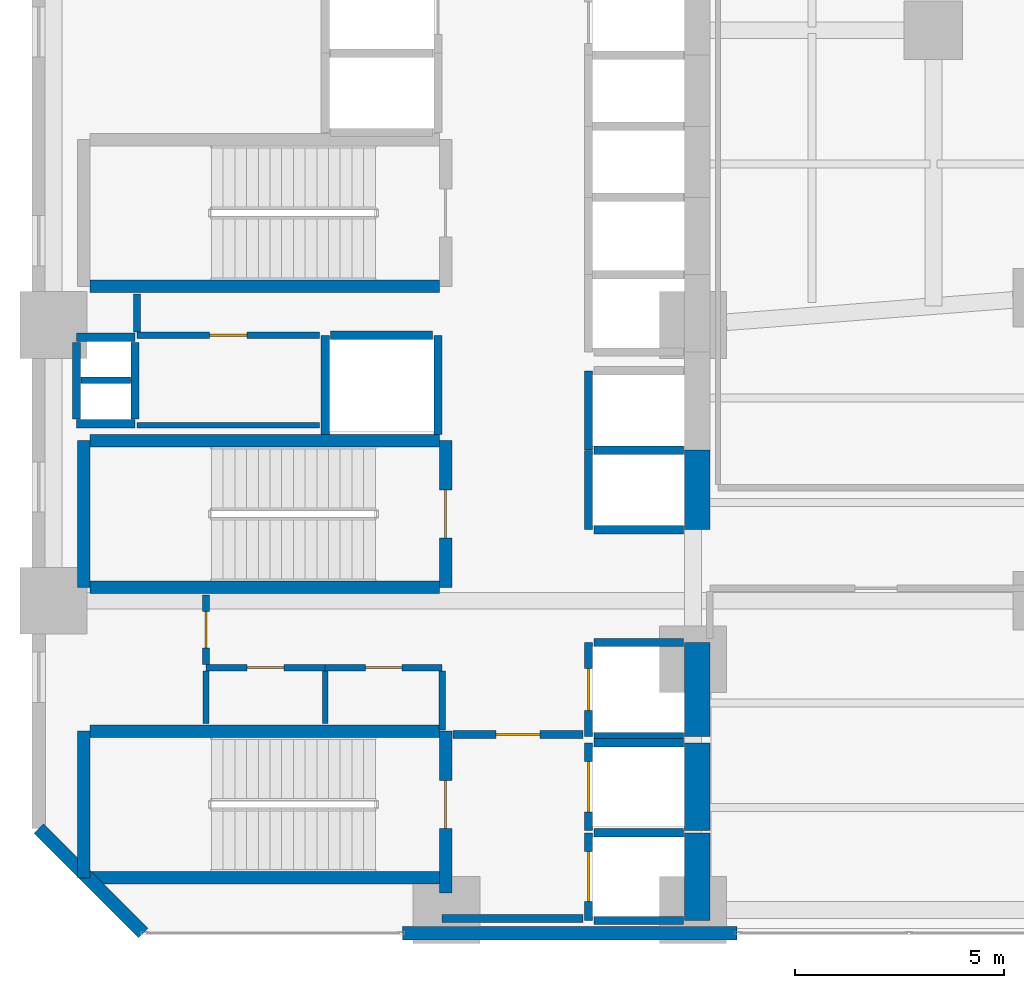
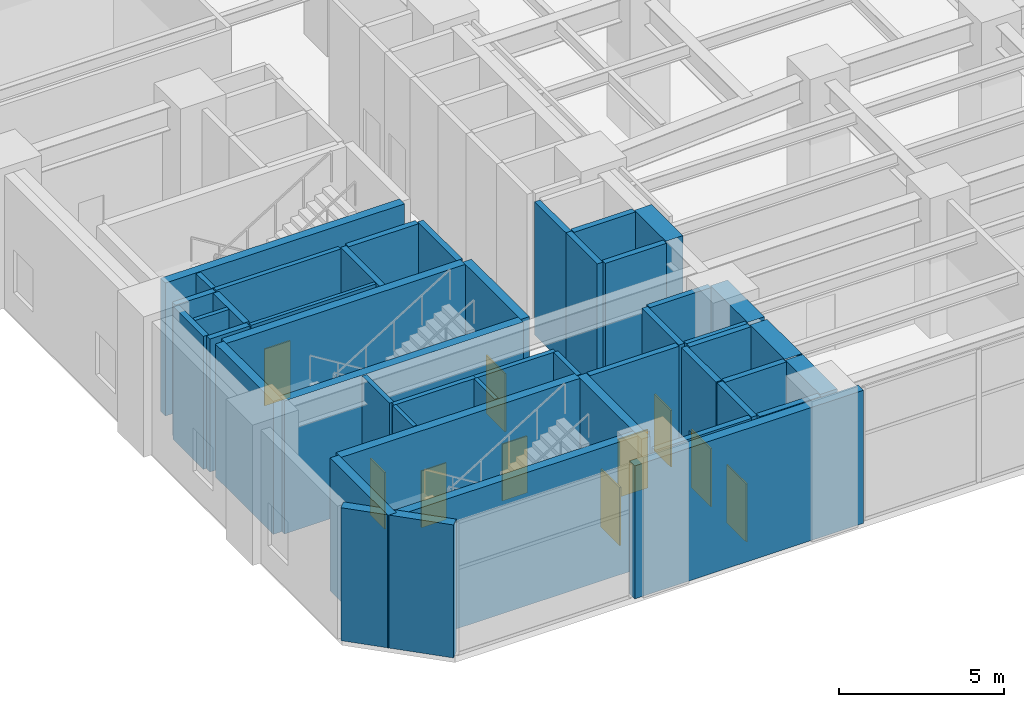
# One storey, part 21 of 29: 46 walls, 10 doors, 10 openings.
"""IFC4 building model written with IfcOpenShell, lengths in metres."""

import ifcopenshell
import ifcopenshell.guid

model = None  # the IFC model being written
_history = None  # IfcOwnerHistory: only IFC2X3 demands one
_inside = {}  # id of a spatial element -> (the spatial element, [elements in it])
_under = {}  # id of a project, library or spatial element -> (it, [spatial elements below it])
_declared = {}  # id of a project -> (the project, [libraries it declares])
_typed = {}  # id of a type object -> (the type object, [elements of that type])
_made_of = {}  # id of a material, layer set ... -> (it, [elements and type objects made of it])


def new_model(schema):
    """Start an empty IFC model of exactly this schema.

    Asked for "IFC4X3", IfcOpenShell would pick the latest addendum, in which some entities
    have other attributes; the version numbers below select the first issue.
    IFC2X3 requires an IfcOwnerHistory on every rooted entity: one is made here for all.
    """
    global model, _history
    if schema == "IFC4X3":
        model = ifcopenshell.file(schema_version=(4, 3, 0, 0))
    else:
        model = ifcopenshell.file(schema=schema)
    _inside.clear()
    _under.clear()
    _declared.clear()
    _typed.clear()
    _made_of.clear()
    _history = None
    if model.schema == "IFC2X3":
        org = make("IfcOrganization", Name="unknown")
        user = make(
            "IfcPersonAndOrganization",
            ThePerson=make("IfcPerson", FamilyName="unknown"),
            TheOrganization=org,
        )
        app = make(
            "IfcApplication",
            ApplicationDeveloper=org,
            Version="unknown",
            ApplicationFullName="unknown",
            ApplicationIdentifier="unknown",
        )
        _history = make(
            "IfcOwnerHistory",
            OwningUser=user,
            OwningApplication=app,
            ChangeAction="ADDED",
            CreationDate=0,
        )
    return model


def make(cls, **values):
    """One entity of the class cls with the attributes given. An attribute that is None is left unset."""
    return model.create_entity(
        cls, **{name: value for name, value in values.items() if value is not None}
    )


def rooted(cls, **values):
    """An entity with a GlobalId (a new one), such as an element, a storey or a relation."""
    return make(cls, GlobalId=ifcopenshell.guid.new(), OwnerHistory=_history, **values)


def si_unit(unit_type, name, prefix=None):
    """IfcSIUnit, for example si_unit("LENGTHUNIT", "METRE", prefix="MILLI")."""
    return make("IfcSIUnit", UnitType=unit_type, Prefix=prefix, Name=name)


def assignment(units):
    """IfcUnitAssignment: the units of a project."""
    return None if units is None else make("IfcUnitAssignment", Units=units)


def point(xyz):
    """IfcCartesianPoint."""
    return None if xyz is None else make("IfcCartesianPoint", Coordinates=xyz)


def direction(xyz):
    """IfcDirection."""
    return None if xyz is None else make("IfcDirection", DirectionRatios=xyz)


def frame(location, z_axis=None, x_axis=None):
    """IfcAxis2Placement3D, a coordinate frame: its origin and axes. An axis left out is left unset."""
    return make(
        "IfcAxis2Placement3D",
        Location=point(location),
        Axis=direction(z_axis),
        RefDirection=direction(x_axis),
    )


def frame_2d(location, x_axis=None):
    """IfcAxis2Placement2D, a coordinate frame in the plane: its origin and x axis."""
    return make(
        "IfcAxis2Placement2D", Location=point(location), RefDirection=direction(x_axis)
    )


def origin():
    """The frame at (0, 0, 0) with its axes left unset."""
    return frame((0.0, 0.0, 0.0))


def place(relative_to, where):
    """IfcLocalPlacement: puts the frame where relative to a parent placement (None: the world)."""
    return make(
        "IfcLocalPlacement", PlacementRelTo=relative_to, RelativePlacement=where
    )


def context(
    kind, dimensions, precision=None, world=None, true_north=None, identifier=None
):
    """IfcGeometricRepresentationContext, for example the 3D "Model" context."""
    return make(
        "IfcGeometricRepresentationContext",
        ContextIdentifier=identifier,
        ContextType=kind,
        CoordinateSpaceDimension=dimensions,
        Precision=precision,
        WorldCoordinateSystem=world,
        TrueNorth=true_north,
    )


def subcontext(parent, identifier, kind, view, scale=None):
    """IfcGeometricRepresentationSubContext, for example "Body" below "Model"."""
    return make(
        "IfcGeometricRepresentationSubContext",
        ContextIdentifier=identifier,
        ContextType=kind,
        ParentContext=parent,
        TargetScale=scale,
        TargetView=view,
    )


def project(units=None, contexts=None):
    """IfcProject with its units and contexts."""
    return rooted(
        "IfcProject",
        Name="project",
        RepresentationContexts=contexts,
        UnitsInContext=assignment(units),
    )


def spatial(cls, under=None, at=None, **own):
    """A site, building, storey or space (cls), placed at a placement, below another one or the project."""
    s = rooted(cls, ObjectPlacement=at, **own)
    if under is not None:
        _under.setdefault(under.id(), (under, []))[1].append(s)
    return s


def profile(cls, at=None, kind="AREA", **sizes):
    """A parametric profile (cls). Its sizes go by their IFC names, for example OverallWidth=200.0."""
    return make(cls, ProfileType=kind, Position=at, **sizes)


def rectangle(**sizes):
    """IfcRectangleProfileDef."""
    return profile("IfcRectangleProfileDef", **sizes)


def extrude(swept, where, along, depth):
    """IfcExtrudedAreaSolid: the profile swept, set in the frame where, extruded along a direction by depth."""
    return make(
        "IfcExtrudedAreaSolid",
        SweptArea=swept,
        Position=where,
        ExtrudedDirection=direction(along),
        Depth=depth,
    )


def shape(context_of_items, identifier, shape_type, items):
    """IfcShapeRepresentation: the items that make up one representation, for example the "Body"."""
    return make(
        "IfcShapeRepresentation",
        ContextOfItems=context_of_items,
        RepresentationIdentifier=identifier,
        RepresentationType=shape_type,
        Items=items,
    )


def material(Name=None, Category=None):
    """IfcMaterial."""
    return make("IfcMaterial", Name=Name, Category=Category)


def layer(
    of_material, thickness, ventilated=None, Name=None, Category=None, Priority=None
):
    """IfcMaterialLayer: one layer of a wall or slab, of a material (None: an air gap)."""
    return make(
        "IfcMaterialLayer",
        Material=of_material,
        LayerThickness=thickness,
        IsVentilated=ventilated,
        Name=Name,
        Category=Category,
        Priority=Priority,
    )


def layer_set(layers, Name=None):
    """IfcMaterialLayerSet."""
    return make("IfcMaterialLayerSet", MaterialLayers=layers, LayerSetName=Name)


def made_of(thing, what):
    """Note that an element or type object is made of a material, layer set ...; save() writes the relation."""
    if what is not None:
        _made_of.setdefault(what.id(), (what, []))[1].append(thing)
    return thing


def type_object(cls, material=None, **own):
    """A type object (cls), such as IfcWallType, which elements share."""
    return made_of(rooted(cls, **own), material)


def element(
    cls,
    number,
    at=None,
    inside=None,
    cuts=None,
    type_object=None,
    material=None,
    context=None,
    identifier="Body",
    shape_type=None,
    held_by="IfcProductDefinitionShape",
    body=None,
    shapes=None,
    **own,
):
    """One element of the class cls, such as IfcWall. Its Tag is "e" and its number.

    at: its placement. inside: the storey or other place that contains it. cuts: it is an
    opening in that element (IfcRelVoidsElement). A single representation is given by context,
    identifier, shape_type and body (its items); several are given by shapes. held_by: the class
    of the entity that holds the representations. save() writes the other relations.
    """
    e = rooted(cls, Tag="e%d" % number, ObjectPlacement=at, **own)
    if body is not None:
        shapes = [shape(context, identifier, shape_type, body)]
    if shapes is not None:
        e.Representation = make(held_by, Representations=shapes)
    if inside is not None:
        _inside.setdefault(inside.id(), (inside, []))[1].append(e)
    if cuts is not None:
        rooted(
            "IfcRelVoidsElement", RelatingBuildingElement=cuts, RelatedOpeningElement=e
        )
    if type_object is not None:
        _typed.setdefault(type_object.id(), (type_object, []))[1].append(e)
    return made_of(e, material)


def fill(opening, filler):
    """IfcRelFillsElement: the door or window that sits in an opening."""
    return rooted(
        "IfcRelFillsElement",
        RelatingOpeningElement=opening,
        RelatedBuildingElement=filler,
    )


def aggregate(whole, parts):
    """IfcRelAggregates: a whole, such as a stair, and the parts it consists of."""
    return rooted("IfcRelAggregates", RelatingObject=whole, RelatedObjects=parts)


def save(model, path):
    """Write the relations noted so far, then the file.

    IfcRelAggregates (storeys below a building ...), IfcRelContainedInSpatialStructure (elements
    in a storey), IfcRelDefinesByType, IfcRelAssociatesMaterial and IfcRelDeclares: one each for
    every whole, place, type object, material and project.
    """
    for whole, parts in _under.values():
        aggregate(whole, parts)
    for where, things in _inside.values():
        rooted(
            "IfcRelContainedInSpatialStructure",
            RelatedElements=things,
            RelatingStructure=where,
        )
    for kind, things in _typed.values():
        rooted("IfcRelDefinesByType", RelatedObjects=things, RelatingType=kind)
    for what, things in _made_of.values():
        rooted("IfcRelAssociatesMaterial", RelatedObjects=things, RelatingMaterial=what)
    for by, libraries in _declared.values():
        rooted("IfcRelDeclares", RelatingContext=by, RelatedDefinitions=libraries)
    model.write(path)


model = new_model("IFC4")

# Units and contexts
model_context = context("Model", 3, precision=1e-05, world=origin(), true_north=direction((0.0, 1.0)))
body_context = subcontext(model_context, "Body", "Model", "MODEL_VIEW")
ifc_project = project(units=[si_unit("LENGTHUNIT", "METRE"), si_unit("AREAUNIT", "SQUARE_METRE"), si_unit("VOLUMEUNIT", "CUBIC_METRE"), si_unit("PLANEANGLEUNIT", "RADIAN"), si_unit("MASSUNIT", "GRAM", prefix="KILO")], contexts=[model_context])

# Site, building, storey
site_placement = place(None, origin())
site = spatial("IfcSite", under=ifc_project, at=site_placement, CompositionType="ELEMENT")
building_placement = place(site_placement, origin())
building = spatial("IfcBuilding", under=site, at=building_placement, Name="Mawjaban Terraces University", CompositionType="ELEMENT")
storey_placement = place(building_placement, frame((0.0, 0.0, 15.60009765625)))
storey = spatial("IfcBuildingStorey", under=building, at=storey_placement, Name="L03", CompositionType="ELEMENT", Elevation=15.60009765625)

# Walls
ifc_material_1 = material(Name="Concrete C70/85", Category="concrete")
ifc_layer_1 = layer(ifc_material_1, 0.60009765625)
ifc_layer_set_1 = layer_set([ifc_layer_1], Name="Concrete C70/85")
wall_type_1 = type_object("IfcWallType", Name="CoreShearWall_600", PredefinedType="SHEAR", material=ifc_layer_set_1)
wall_1_placement = place(storey_placement, frame((37.75, 0.300048828125, 0.0), z_axis=(0.0, 0.0, 1.0), x_axis=(0.0, 1.0, 0.0)))
element("IfcWall", 1, at=wall_1_placement, inside=storey, type_object=wall_type_1, Name="L03 Lift FL-1 Hoistway Wall East", PredefinedType="SHEAR", context=body_context, shape_type="SweptSolid", body=[
    extrude(rectangle(XDim=2.099853515625, YDim=0.60009765625, at=frame_2d((1.0498046875, 0.0))), origin(), (0.0, 0.0, 1.0), 4.919921875),
])
wall_2_placement = place(storey_placement, frame((37.75, 2.449951171875, 0.0), z_axis=(0.0, 0.0, 1.0), x_axis=(0.0, 1.0, 0.0)))
element("IfcWall", 2, at=wall_2_placement, inside=storey, type_object=wall_type_1, Name="L03 Lift FL-2 Hoistway Wall East", PredefinedType="SHEAR", context=body_context, shape_type="SweptSolid", body=[
    extrude(rectangle(XDim=2.10009765625, YDim=0.60009765625, at=frame_2d((1.050048828125, 0.0))), origin(), (0.0, 0.0, 1.0), 4.919921875),
])
wall_3_placement = place(storey_placement, frame((37.75, 4.699951171875, 0.0), z_axis=(0.0, 0.0, 1.0), x_axis=(0.0, 1.0, 0.0)))
element("IfcWall", 3, at=wall_3_placement, inside=storey, type_object=wall_type_1, Name="L03 Lift SL-1 Hoistway Wall East", PredefinedType="SHEAR", context=body_context, shape_type="SweptSolid", body=[
    extrude(rectangle(XDim=2.25, YDim=0.60009765625, at=frame_2d((1.125, 0.0))), origin(), (0.0, 0.0, 1.0), 4.919921875),
])
wall_4_placement = place(storey_placement, frame((37.75, 9.64990234375, 0.0), z_axis=(0.0, 0.0, 1.0), x_axis=(0.0, 1.0, 0.0)))
element("IfcWall", 4, at=wall_4_placement, inside=storey, type_object=wall_type_1, Name="L03 Lift PL-H1 Hoistway Wall East", PredefinedType="SHEAR", context=body_context, shape_type="SweptSolid", body=[
    extrude(rectangle(XDim=1.900146484375, YDim=0.60009765625, at=frame_2d((0.9501953125, 0.0))), origin(), (0.0, 0.0, 1.0), 4.919921875),
])

# Wall, opening, door
ifc_material_2 = material(Name="Fire-rated gypsum board on steel stud", Category="steel")
ifc_layer_2 = layer(ifc_material_2, 0.159912109375)
ifc_layer_set_2 = layer_set([ifc_layer_2], Name="Fire-rated gypsum board on steel stud")
wall_type_2 = type_object("IfcWallType", Name="CorridorPartition_160", PredefinedType="PARTITIONING", material=ifc_layer_set_2)
wall_5_placement = place(storey_placement, frame((24.35009765625, 14.300048828125, 0.0), z_axis=(0.0, 0.0, 1.0), x_axis=(1.0, 0.0, 0.0)))
wall_5 = element("IfcWall", 5, at=wall_5_placement, inside=storey, type_object=wall_type_2, Name="L03 Core Riser Access Passage Partition 2", PredefinedType="PARTITIONING", context=body_context, shape_type="SweptSolid", body=[
    extrude(rectangle(XDim=4.369873046875, YDim=0.159912109375, at=frame_2d((2.18505859375, 0.0))), origin(), (0.0, 0.0, 1.0), 4.919921875),
])
opening_1_placement = place(wall_5_placement, frame((1.735107421875, 0.0, 0.0)))
opening_1 = element("IfcOpeningElement", 6, at=opening_1_placement, cuts=wall_5, Name="Opening ID-090", PredefinedType="OPENING", context=body_context, shape_type="SweptSolid", body=[
    extrude(rectangle(XDim=0.89990234375, YDim=2.10009765625, at=frame_2d((0.449951171875, 1.050048828125))), frame((0.0, 0.08984375, 0.0), z_axis=(0.0, -1.0, 0.0), x_axis=(1.0, 0.0, 0.0)), (0.0, 0.0, 1.0), 0.179931640625),
])
ifc_material_3 = material(Name="Powder-coated steel frame and solid acoustic timber leaf", Category="steel")
door_type_1 = type_object("IfcDoorType", Name="OfficeDoor_900x2100", OperationType="NOTDEFINED", PredefinedType="DOOR", material=ifc_material_3)
door_1_placement = place(opening_1_placement, origin())
door_1 = element("IfcDoor", 7, at=door_1_placement, inside=storey, type_object=door_type_1, Name="L03 Cleaner Store Door", OperationType="SINGLE_SWING_LEFT", OverallHeight=2.10009765625, OverallWidth=0.89990234375, PredefinedType="DOOR", context=body_context, shape_type="SweptSolid", body=[
    extrude(rectangle(XDim=0.89990234375, YDim=2.10009765625, at=frame_2d((0.449951171875, 1.050048828125))), frame((0.0, 0.02490234375, 0.0), z_axis=(0.0, -1.0, 0.0), x_axis=(1.0, 0.0, 0.0)), (0.0, 0.0, 1.0), 0.050048828125),
])
fill(opening_1, door_1)

wall_6_placement = place(storey_placement, frame((26.0, 6.35009765625, 0.0), z_axis=(0.0, 0.0, 1.0), x_axis=(1.0, 0.0, 0.0)))
wall_6 = element("IfcWall", 8, at=wall_6_placement, inside=storey, type_object=wall_type_2, Name="L03 Core Washroom Lobby Partition 3", PredefinedType="PARTITIONING", context=body_context, shape_type="SweptSolid", body=[
    extrude(rectangle(XDim=2.85009765625, YDim=0.159912109375, at=frame_2d((1.425048828125, 0.0))), origin(), (0.0, 0.0, 1.0), 4.919921875),
])
opening_2_placement = place(wall_6_placement, frame((0.985107421875, 0.0, 0.0)))
opening_2 = element("IfcOpeningElement", 9, at=opening_2_placement, cuts=wall_6, Name="Opening ID-088", PredefinedType="OPENING", context=body_context, shape_type="SweptSolid", body=[
    extrude(rectangle(XDim=0.8798828125, YDim=2.10009765625, at=frame_2d((0.43994140625, 1.050048828125))), frame((0.0, 0.08984375, 0.0), z_axis=(0.0, -1.0, 0.0), x_axis=(1.0, 0.0, 0.0)), (0.0, 0.0, 1.0), 0.179931640625),
])
door_type_2 = type_object("IfcDoorType", Name="ToiletDoor_880x2100", OperationType="NOTDEFINED", PredefinedType="DOOR", material=ifc_material_3)
door_2_placement = place(opening_2_placement, origin())
door_2 = element("IfcDoor", 10, at=door_2_placement, inside=storey, type_object=door_type_2, Name="L03 Male Toilet Door", OperationType="SINGLE_SWING_LEFT", OverallHeight=2.10009765625, OverallWidth=0.8798828125, PredefinedType="DOOR", context=body_context, shape_type="SweptSolid", body=[
    extrude(rectangle(XDim=0.8798828125, YDim=2.10009765625, at=frame_2d((0.43994140625, 1.050048828125))), frame((0.0, 0.02490234375, 0.0), z_axis=(0.0, -1.0, 0.0), x_axis=(1.0, 0.0, 0.0)), (0.0, 0.0, 1.0), 0.050048828125),
])
fill(opening_2, door_2)

wall_7_placement = place(storey_placement, frame((28.85009765625, 6.35009765625, 0.0), z_axis=(0.0, 0.0, 1.0), x_axis=(1.0, 0.0, 0.0)))
wall_7 = element("IfcWall", 11, at=wall_7_placement, inside=storey, type_object=wall_type_2, Name="L03 Core Washroom Lobby Partition 6", PredefinedType="PARTITIONING", context=body_context, shape_type="SweptSolid", body=[
    extrude(rectangle(XDim=2.7998046875, YDim=0.159912109375, at=frame_2d((1.39990234375, 0.0))), origin(), (0.0, 0.0, 1.0), 4.919921875),
])
opening_3_placement = place(wall_7_placement, frame((0.9599609375, 0.0, 0.0)))
opening_3 = element("IfcOpeningElement", 12, at=opening_3_placement, cuts=wall_7, Name="Opening ID-088", PredefinedType="OPENING", context=body_context, shape_type="SweptSolid", body=[
    extrude(rectangle(XDim=0.8798828125, YDim=2.10009765625, at=frame_2d((0.43994140625, 1.050048828125))), frame((0.0, 0.08984375, 0.0), z_axis=(0.0, -1.0, 0.0), x_axis=(1.0, 0.0, 0.0)), (0.0, 0.0, 1.0), 0.179931640625),
])
door_3_placement = place(opening_3_placement, origin())
door_3 = element("IfcDoor", 13, at=door_3_placement, inside=storey, type_object=door_type_2, Name="L03 Accessible Toilet Door", OperationType="SINGLE_SWING_RIGHT", OverallHeight=2.10009765625, OverallWidth=0.8798828125, PredefinedType="DOOR", context=body_context, shape_type="SweptSolid", body=[
    extrude(rectangle(XDim=0.8798828125, YDim=2.10009765625, at=frame_2d((0.43994140625, 1.050048828125))), frame((0.0, 0.02490234375, 0.0), z_axis=(0.0, -1.0, 0.0), x_axis=(1.0, 0.0, 0.0)), (0.0, 0.0, 1.0), 0.050048828125),
])
fill(opening_3, door_3)

# Wall
wall_8_placement = place(storey_placement, frame((24.35009765625, 15.2900390625, 0.0), z_axis=(0.0, 0.0, 1.0), x_axis=(0.0, -1.0, 0.0)))
element("IfcWall", 14, at=wall_8_placement, inside=storey, type_object=wall_type_2, Name="L03 Core Riser Access Passage Partition 21", PredefinedType="PARTITIONING", context=body_context, shape_type="SweptSolid", body=[
    extrude(rectangle(XDim=0.9150390625, YDim=0.159912109375, at=frame_2d((0.45751953125, 0.0))), origin(), (0.0, 0.0, 1.0), 4.919921875),
])

# Wall, opening, door
wall_9_placement = place(storey_placement, frame((26.0, 8.090087890625, 0.0), z_axis=(0.0, 0.0, 1.0), x_axis=(0.0, -1.0, 0.0)))
wall_9 = element("IfcWall", 15, at=wall_9_placement, inside=storey, type_object=wall_type_2, Name="L03 Core Washroom Lobby Partition 23", PredefinedType="PARTITIONING", context=body_context, shape_type="SweptSolid", body=[
    extrude(rectangle(XDim=1.6650390625, YDim=0.159912109375, at=frame_2d((0.83251953125, 0.0))), origin(), (0.0, 0.0, 1.0), 4.919921875),
])
opening_4_placement = place(wall_9_placement, frame((0.39306640625, 0.0, 0.0)))
opening_4 = element("IfcOpeningElement", 16, at=opening_4_placement, cuts=wall_9, Name="Opening ID-088", PredefinedType="OPENING", context=body_context, shape_type="SweptSolid", body=[
    extrude(rectangle(XDim=0.8798828125, YDim=2.10009765625, at=frame_2d((0.43994140625, 1.050048828125))), frame((0.0, 0.08984375, 0.0), z_axis=(0.0, -1.0, 0.0), x_axis=(1.0, 0.0, 0.0)), (0.0, 0.0, 1.0), 0.179931640625),
])
door_4_placement = place(opening_4_placement, origin())
door_4 = element("IfcDoor", 17, at=door_4_placement, inside=storey, type_object=door_type_2, Name="L03 Ablution Room Door", OperationType="SINGLE_SWING_RIGHT", OverallHeight=2.10009765625, OverallWidth=0.8798828125, PredefinedType="DOOR", context=body_context, shape_type="SweptSolid", body=[
    extrude(rectangle(XDim=0.8798828125, YDim=2.10009765625, at=frame_2d((0.43994140625, 1.050048828125))), frame((0.0, 0.02490234375, 0.0), z_axis=(0.0, -1.0, 0.0), x_axis=(1.0, 0.0, 0.0)), (0.0, 0.0, 1.0), 0.050048828125),
])
fill(opening_4, door_4)

# Walls
wall_10_placement = place(storey_placement, frame((31.64990234375, 4.860107421875, 0.0), z_axis=(0.0, 0.0, 1.0), x_axis=(0.0, 1.0, 0.0)))
element("IfcWall", 18, at=wall_10_placement, inside=storey, type_object=wall_type_2, Name="L03 Accessible Toilet Partition 26", PredefinedType="PARTITIONING", context=body_context, shape_type="SweptSolid", body=[
    extrude(rectangle(XDim=1.414794921875, YDim=0.159912109375, at=frame_2d((0.70751953125, 0.0))), origin(), (0.0, 0.0, 1.0), 4.919921875),
])
ifc_material_4 = material(Name="Insulated terracotta rainscreen on concrete backup C40/50", Category="masonry")
ifc_layer_3 = layer(ifc_material_4, 0.320068359375)
ifc_layer_set_3 = layer_set([ifc_layer_3], Name="Insulated terracotta rainscreen on concrete backup C40/50")
wall_type_3 = type_object("IfcWallType", Name="ExtTerracottaWall_320", PredefinedType="SOLIDWALL", material=ifc_layer_set_3)
wall_11_placement = place(storey_placement, frame((30.699951171875, 0.0, 0.0), z_axis=(0.0, 0.0, 1.0), x_axis=(1.0, 0.0, 0.0)))
element("IfcWall", 19, at=wall_11_placement, inside=storey, type_object=wall_type_3, Name="L03 Exterior Terracotta Pier Wall 1.1", PredefinedType="SOLIDWALL", context=body_context, shape_type="SweptSolid", body=[
    extrude(rectangle(XDim=8.0, YDim=0.320068359375, at=frame_2d((4.0, 0.0))), origin(), (0.0, 0.0, 1.0), 4.919921875),
])
wall_12_placement = place(storey_placement, frame((22.0, 2.5, 0.0), z_axis=(0.0, 0.0, 1.0), x_axis=(0.707106781187, -0.707106781187, 0.0)))
element("IfcWall", 20, at=wall_12_placement, inside=storey, type_object=wall_type_3, Name="L03 Exterior Terracotta Wall 11", PredefinedType="SOLIDWALL", context=body_context, shape_type="SweptSolid", body=[
    extrude(rectangle(XDim=3.53564453125, YDim=0.320068359375, at=frame_2d((1.767822265625, 0.0))), origin(), (0.0, 0.0, 1.0), 4.919921875),
])

# Wall, opening, door
ifc_material_5 = material(Name="Concrete C40/50", Category="concrete")
ifc_layer_4 = layer(ifc_material_5, 0.199951171875)
ifc_layer_set_4 = layer_set([ifc_layer_4], Name="Concrete C40/50")
wall_type_4 = type_object("IfcWallType", Name="FireLobbyWall_200", PredefinedType="SOLIDWALL", material=ifc_layer_set_4)
wall_13_placement = place(storey_placement, frame((35.14990234375, 2.39990234375, 0.0), z_axis=(0.0, 0.0, 1.0), x_axis=(0.0, -1.0, 0.0)))
wall_13 = element("IfcWall", 21, at=wall_13_placement, inside=storey, type_object=wall_type_4, Name="L03 Lift FL-1 Hoistway Wall West", PredefinedType="SOLIDWALL", context=body_context, shape_type="SweptSolid", body=[
    extrude(rectangle(XDim=2.099853515625, YDim=0.199951171875, at=frame_2d((1.0498046875, 0.0))), origin(), (0.0, 0.0, 1.0), 4.919921875),
])
opening_5_placement = place(wall_13_placement, frame((0.449951171875, 0.0, 0.0)))
opening_5 = element("IfcOpeningElement", 22, at=opening_5_placement, cuts=wall_13, Name="Opening LD-FL-1", PredefinedType="OPENING", context=body_context, shape_type="SweptSolid", body=[
    extrude(rectangle(XDim=1.199951171875, YDim=2.14990234375, at=frame_2d((0.60009765625, 1.074951171875))), frame((0.0, 0.10986328125, 0.0), z_axis=(0.0, -1.0, 0.0), x_axis=(1.0, 0.0, 0.0)), (0.0, 0.0, 1.0), 0.219970703125),
])
ifc_material_6 = material(Name="Powder-coated steel frame and fire-rated steel-faced leaf", Category="steel")
door_type_3 = type_object("IfcDoorType", Name="LiftLandingFSAE_1200x2150", OperationType="NOTDEFINED", PredefinedType="DOOR", material=ifc_material_6)
door_5_placement = place(opening_5_placement, origin())
door_5 = element("IfcDoor", 23, at=door_5_placement, inside=storey, type_object=door_type_3, Name="L03 Lift FL-1 Sliding Landing Door", OperationType="DOUBLE_DOOR_SLIDING", OverallHeight=2.14990234375, OverallWidth=1.199951171875, PredefinedType="DOOR", context=body_context, shape_type="SweptSolid", body=[
    extrude(rectangle(XDim=1.199951171875, YDim=2.14990234375, at=frame_2d((0.60009765625, 1.074951171875))), frame((0.0, 0.02490234375, 0.0), z_axis=(0.0, -1.0, 0.0), x_axis=(1.0, 0.0, 0.0)), (0.0, 0.0, 1.0), 0.050048828125),
])
fill(opening_5, door_5)

# Walls
for number, where, z_axis, x_axis, name in (
    (24, (35.280029296875, 0.300048828125, 0.0), (0.0, 0.0, 1.0), (1.0, 0.0, 0.0), "L03 Lift FL-1 Hoistway Wall South"),
    (25, (37.419921875, 2.39990234375, 0.0), (0.0, 0.0, 1.0), (-1.0, 0.0, 0.0), "L03 Lift FL-1 Hoistway Wall North"),
):
    element("IfcWall", number, at=place(storey_placement, frame(where, z_axis=z_axis, x_axis=x_axis)), inside=storey, type_object=wall_type_4, Name=name, PredefinedType="SOLIDWALL", context=body_context, shape_type="SweptSolid", body=[
        extrude(rectangle(XDim=2.139892578125, YDim=0.199951171875, at=frame_2d((1.06982421875, 0.0))), origin(), (0.0, 0.0, 1.0), 4.919921875),
    ])

# Wall, opening, door
wall_14_placement = place(storey_placement, frame((35.14990234375, 4.550048828125, 0.0), z_axis=(0.0, 0.0, 1.0), x_axis=(0.0, -1.0, 0.0)))
wall_14 = element("IfcWall", 26, at=wall_14_placement, inside=storey, type_object=wall_type_4, Name="L03 Lift FL-2 Hoistway Wall West", PredefinedType="SOLIDWALL", context=body_context, shape_type="SweptSolid", body=[
    extrude(rectangle(XDim=2.10009765625, YDim=0.199951171875, at=frame_2d((1.050048828125, 0.0))), origin(), (0.0, 0.0, 1.0), 4.919921875),
])
opening_6_placement = place(wall_14_placement, frame((0.449951171875, 0.0, 0.0)))
opening_6 = element("IfcOpeningElement", 27, at=opening_6_placement, cuts=wall_14, Name="Opening LD-FL-2", PredefinedType="OPENING", context=body_context, shape_type="SweptSolid", body=[
    extrude(rectangle(XDim=1.199951171875, YDim=2.14990234375, at=frame_2d((0.60009765625, 1.074951171875))), frame((0.0, 0.10986328125, 0.0), z_axis=(0.0, -1.0, 0.0), x_axis=(1.0, 0.0, 0.0)), (0.0, 0.0, 1.0), 0.219970703125),
])
door_6_placement = place(opening_6_placement, origin())
door_6 = element("IfcDoor", 28, at=door_6_placement, inside=storey, type_object=door_type_3, Name="L03 Lift FL-2 Sliding Landing Door", OperationType="DOUBLE_DOOR_SLIDING", OverallHeight=2.14990234375, OverallWidth=1.199951171875, PredefinedType="DOOR", context=body_context, shape_type="SweptSolid", body=[
    extrude(rectangle(XDim=1.199951171875, YDim=2.14990234375, at=frame_2d((0.60009765625, 1.074951171875))), frame((0.0, 0.02490234375, 0.0), z_axis=(0.0, -1.0, 0.0), x_axis=(1.0, 0.0, 0.0)), (0.0, 0.0, 1.0), 0.050048828125),
])
fill(opening_6, door_6)

# Wall
wall_15_placement = place(storey_placement, frame((37.419921875, 4.550048828125, 0.0), z_axis=(0.0, 0.0, 1.0), x_axis=(-1.0, 0.0, 0.0)))
element("IfcWall", 29, at=wall_15_placement, inside=storey, type_object=wall_type_4, Name="L03 Lift FL-2 Hoistway Wall North", PredefinedType="SOLIDWALL", context=body_context, shape_type="SweptSolid", body=[
    extrude(rectangle(XDim=2.139892578125, YDim=0.199951171875, at=frame_2d((1.06982421875, 0.0))), origin(), (0.0, 0.0, 1.0), 4.919921875),
])

# Wall, opening, door
wall_16_placement = place(storey_placement, frame((35.14990234375, 6.949951171875, 0.0), z_axis=(0.0, 0.0, 1.0), x_axis=(0.0, -1.0, 0.0)))
wall_16 = element("IfcWall", 30, at=wall_16_placement, inside=storey, type_object=wall_type_4, Name="L03 Lift SL-1 Hoistway Wall West", PredefinedType="SOLIDWALL", context=body_context, shape_type="SweptSolid", body=[
    extrude(rectangle(XDim=2.25, YDim=0.199951171875, at=frame_2d((1.125, 0.0))), origin(), (0.0, 0.0, 1.0), 4.919921875),
])
opening_7_placement = place(wall_16_placement, frame((0.625, 0.0, 0.0)))
opening_7 = element("IfcOpeningElement", 31, at=opening_7_placement, cuts=wall_16, Name="Opening LD-SL-1", PredefinedType="OPENING", context=body_context, shape_type="SweptSolid", body=[
    extrude(rectangle(XDim=1.0, YDim=2.10009765625, at=frame_2d((0.5, 1.050048828125))), frame((0.0, 0.10986328125, 0.0), z_axis=(0.0, -1.0, 0.0), x_axis=(1.0, 0.0, 0.0)), (0.0, 0.0, 1.0), 0.219970703125),
])
door_type_4 = type_object("IfcDoorType", Name="LiftLandingSliding_1000x2100", OperationType="NOTDEFINED", PredefinedType="DOOR", material=ifc_material_6)
door_7_placement = place(opening_7_placement, origin())
door_7 = element("IfcDoor", 32, at=door_7_placement, inside=storey, type_object=door_type_4, Name="L03 Lift SL-1 Sliding Landing Door", OperationType="DOUBLE_DOOR_SLIDING", OverallHeight=2.10009765625, OverallWidth=1.0, PredefinedType="DOOR", context=body_context, shape_type="SweptSolid", body=[
    extrude(rectangle(XDim=1.0, YDim=2.10009765625, at=frame_2d((0.5, 1.050048828125))), frame((0.0, 0.02490234375, 0.0), z_axis=(0.0, -1.0, 0.0), x_axis=(1.0, 0.0, 0.0)), (0.0, 0.0, 1.0), 0.050048828125),
])
fill(opening_7, door_7)

# Walls
for number, where, z_axis, x_axis, name in (
    (33, (35.280029296875, 4.699951171875, 0.0), (0.0, 0.0, 1.0), (1.0, 0.0, 0.0), "L03 Lift SL-1 Hoistway Wall South"),
    (34, (37.419921875, 6.949951171875, 0.0), (0.0, 0.0, 1.0), (-1.0, 0.0, 0.0), "L03 Lift SL-1 Hoistway Wall North"),
):
    element("IfcWall", number, at=place(storey_placement, frame(where, z_axis=z_axis, x_axis=x_axis)), inside=storey, type_object=wall_type_4, Name=name, PredefinedType="SOLIDWALL", context=body_context, shape_type="SweptSolid", body=[
        extrude(rectangle(XDim=2.139892578125, YDim=0.199951171875, at=frame_2d((1.06982421875, 0.0))), origin(), (0.0, 0.0, 1.0), 4.919921875),
    ])
wall_17_placement = place(storey_placement, frame((35.14990234375, 11.550048828125, 0.0), z_axis=(0.0, 0.0, 1.0), x_axis=(0.0, -1.0, 0.0)))
element("IfcWall", 35, at=wall_17_placement, inside=storey, type_object=wall_type_4, Name="L03 Lift PL-H1 Hoistway Wall West", PredefinedType="SOLIDWALL", context=body_context, shape_type="SweptSolid", body=[
    extrude(rectangle(XDim=1.900146484375, YDim=0.199951171875, at=frame_2d((0.9501953125, 0.0))), origin(), (0.0, 0.0, 1.0), 4.919921875),
])
for number, where, z_axis, x_axis, name in (
    (36, (35.280029296875, 9.64990234375, 0.0), (0.0, 0.0, 1.0), (1.0, 0.0, 0.0), "L03 Lift PL-H1 Hoistway Wall South"),
    (37, (37.419921875, 11.550048828125, 0.0), (0.0, 0.0, 1.0), (-1.0, 0.0, 0.0), "L03 Lift PL-H1 Hoistway Wall North"),
):
    element("IfcWall", number, at=place(storey_placement, frame(where, z_axis=z_axis, x_axis=x_axis)), inside=storey, type_object=wall_type_4, Name=name, PredefinedType="SOLIDWALL", context=body_context, shape_type="SweptSolid", body=[
        extrude(rectangle(XDim=2.139892578125, YDim=0.199951171875, at=frame_2d((1.06982421875, 0.0))), origin(), (0.0, 0.0, 1.0), 4.919921875),
    ])
wall_18_placement = place(storey_placement, frame((35.14990234375, 13.449951171875, 0.0), z_axis=(0.0, 0.0, 1.0), x_axis=(0.0, -1.0, 0.0)))
element("IfcWall", 38, at=wall_18_placement, inside=storey, type_object=wall_type_4, Name="L03 Lift PL-H2 Hoistway Wall West", PredefinedType="SOLIDWALL", context=body_context, shape_type="SweptSolid", body=[
    extrude(rectangle(XDim=1.89990234375, YDim=0.199951171875, at=frame_2d((0.949951171875, 0.0))), origin(), (0.0, 0.0, 1.0), 4.919921875),
])
for number, where, z_axis, x_axis, name in (
    (39, (28.85009765625, 14.300048828125, 0.0), (0.0, 0.0, 1.0), (0.0, -1.0, 0.0), "L03 Lift PL-H3 Hoistway Wall West"),
    (40, (31.550048828125, 11.929931640625, 0.0), (0.0, 0.0, 1.0), (0.0, 1.0, 0.0), "L03 Lift PL-H3 Hoistway Wall East"),
):
    element("IfcWall", number, at=place(storey_placement, frame(where, z_axis=z_axis, x_axis=x_axis)), inside=storey, type_object=wall_type_4, Name=name, PredefinedType="SOLIDWALL", context=body_context, shape_type="SweptSolid", body=[
        extrude(rectangle(XDim=2.3701171875, YDim=0.199951171875, at=frame_2d((1.18505859375, 0.0))), origin(), (0.0, 0.0, 1.0), 4.919921875),
    ])
wall_19_placement = place(storey_placement, frame((31.419921875, 14.300048828125, 0.0), z_axis=(0.0, 0.0, 1.0), x_axis=(-1.0, 0.0, 0.0)))
element("IfcWall", 41, at=wall_19_placement, inside=storey, type_object=wall_type_4, Name="L03 Lift PL-H3 Hoistway Wall North", PredefinedType="SOLIDWALL", context=body_context, shape_type="SweptSolid", body=[
    extrude(rectangle(XDim=2.43994140625, YDim=0.199951171875, at=frame_2d((1.219970703125, 0.0))), origin(), (0.0, 0.0, 1.0), 4.919921875),
])
for number, where, z_axis, x_axis, name in (
    (42, (22.89990234375, 14.25, 0.0), (0.0, 0.0, 1.0), (1.0, 0.0, 0.0), "L03 MEP Riser Shaft Wall N"),
    (43, (22.89990234375, 12.179931640625, 0.0), (0.0, 0.0, 1.0), (1.0, 0.0, 0.0), "L03 MEP Riser Shaft Wall S"),
):
    element("IfcWall", number, at=place(storey_placement, frame(where, z_axis=z_axis, x_axis=x_axis)), inside=storey, type_object=wall_type_4, Name=name, PredefinedType="SOLIDWALL", context=body_context, shape_type="SweptSolid", body=[
        extrude(rectangle(XDim=1.400146484375, YDim=0.199951171875, at=frame_2d((0.7001953125, 0.0))), origin(), (0.0, 0.0, 1.0), 4.919921875),
    ])
for number, where, z_axis, x_axis, name in (
    (44, (24.300048828125, 12.300048828125, 0.0), (0.0, 0.0, 1.0), (0.0, 1.0, 0.0), "L03 MEP Riser Shaft Wall E"),
    (45, (22.89990234375, 12.300048828125, 0.0), (0.0, 0.0, 1.0), (0.0, 1.0, 0.0), "L03 MEP Riser Shaft Wall W"),
):
    element("IfcWall", number, at=place(storey_placement, frame(where, z_axis=z_axis, x_axis=x_axis)), inside=storey, type_object=wall_type_4, Name=name, PredefinedType="SOLIDWALL", context=body_context, shape_type="SweptSolid", body=[
        extrude(rectangle(XDim=1.829833984375, YDim=0.199951171875, at=frame_2d((0.9150390625, 0.0))), origin(), (0.0, 0.0, 1.0), 4.919921875),
    ])
wall_20_placement = place(storey_placement, frame((31.64990234375, 0.35009765625, 0.0), z_axis=(0.0, 0.0, 1.0), x_axis=(1.0, 0.0, 0.0)))
element("IfcWall", 46, at=wall_20_placement, inside=storey, type_object=wall_type_4, Name="L03 Firefighting Lift Lobby Partition 7", PredefinedType="SOLIDWALL", context=body_context, shape_type="SweptSolid", body=[
    extrude(rectangle(XDim=3.3701171875, YDim=0.199951171875, at=frame_2d((1.68505859375, 0.0))), origin(), (0.0, 0.0, 1.0), 4.919921875),
])

# Wall, opening, door
wall_21_placement = place(storey_placement, frame((35.02001953125, 4.75, 0.0), z_axis=(0.0, 0.0, 1.0), x_axis=(-1.0, 0.0, 0.0)))
wall_21 = element("IfcWall", 47, at=wall_21_placement, inside=storey, type_object=wall_type_4, Name="L03 Firefighting Lift Lobby Partition 10", PredefinedType="SOLIDWALL", context=body_context, shape_type="SweptSolid", body=[
    extrude(rectangle(XDim=3.110107421875, YDim=0.199951171875, at=frame_2d((1.55517578125, 0.0))), origin(), (0.0, 0.0, 1.0), 4.919921875),
])
opening_8_placement = place(wall_21_placement, frame((1.030029296875, 0.0, 0.0)))
opening_8 = element("IfcOpeningElement", 48, at=opening_8_placement, cuts=wall_21, Name="Opening FD-105", PredefinedType="OPENING", context=body_context, shape_type="SweptSolid", body=[
    extrude(rectangle(XDim=1.050048828125, YDim=2.14990234375, at=frame_2d((0.52490234375, 1.074951171875))), frame((0.0, 0.10986328125, 0.0), z_axis=(0.0, -1.0, 0.0), x_axis=(1.0, 0.0, 0.0)), (0.0, 0.0, 1.0), 0.219970703125),
])
door_type_5 = type_object("IfcDoorType", Name="FireLobbyDoor_1050x2150", OperationType="NOTDEFINED", PredefinedType="DOOR", material=ifc_material_6)
door_8_placement = place(opening_8_placement, origin())
door_8 = element("IfcDoor", 49, at=door_8_placement, inside=storey, type_object=door_type_5, Name="L03 Firefighting Lift Lobby Door", OperationType="SINGLE_SWING_LEFT", OverallHeight=2.14990234375, OverallWidth=1.050048828125, PredefinedType="DOOR", context=body_context, shape_type="SweptSolid", body=[
    extrude(rectangle(XDim=1.050048828125, YDim=2.14990234375, at=frame_2d((0.52490234375, 1.074951171875))), frame((0.0, 0.02490234375, 0.0), z_axis=(0.0, -1.0, 0.0), x_axis=(1.0, 0.0, 0.0)), (0.0, 0.0, 1.0), 0.050048828125),
])
fill(opening_8, door_8)

# Walls
ifc_material_7 = material(Name="Moisture-resistant gypsum board on steel stud", Category="steel")
ifc_layer_5 = layer(ifc_material_7, 0.14501953125)
ifc_layer_set_5 = layer_set([ifc_layer_5], Name="Moisture-resistant gypsum board on steel stud")
wall_type_5 = type_object("IfcWallType", Name="LabPartition_145", PredefinedType="PARTITIONING", material=ifc_layer_set_5)
wall_22_placement = place(storey_placement, frame((23.010009765625, 13.22509765625, 0.0), z_axis=(0.0, 0.0, 1.0), x_axis=(1.0, 0.0, 0.0)))
element("IfcWall", 50, at=wall_22_placement, inside=storey, type_object=wall_type_5, Name="L03 MEP Riser Shaft Wall M", PredefinedType="PARTITIONING", context=body_context, shape_type="SweptSolid", body=[
    extrude(rectangle(XDim=1.179931640625, YDim=0.14501953125, at=frame_2d((0.58984375, 0.0))), origin(), (0.0, 0.0, 1.0), 4.919921875),
])
ifc_material_8 = material(Name="Gypsum plasterboard on steel stud", Category="steel")
ifc_layer_6 = layer(ifc_material_8, 0.125)
ifc_layer_set_6 = layer_set([ifc_layer_6], Name="Gypsum plasterboard on steel stud")
wall_type_6 = type_object("IfcWallType", Name="OfficePartition_125", PredefinedType="PARTITIONING", material=ifc_layer_set_6)
wall_23_placement = place(storey_placement, frame((24.35009765625, 12.14990234375, 0.0), z_axis=(0.0, 0.0, 1.0), x_axis=(1.0, 0.0, 0.0)))
element("IfcWall", 51, at=wall_23_placement, inside=storey, type_object=wall_type_6, Name="L03 Cleaner Store Partition 1", PredefinedType="PARTITIONING", context=body_context, shape_type="SweptSolid", body=[
    extrude(rectangle(XDim=4.369873046875, YDim=0.125, at=frame_2d((2.18505859375, 0.0))), origin(), (0.0, 0.0, 1.0), 4.919921875),
])
ifc_material_9 = material(Name="Concrete C60/75", Category="concrete")
ifc_layer_7 = layer(ifc_material_9, 0.300048828125)
ifc_layer_set_7 = layer_set([ifc_layer_7], Name="Concrete C60/75")
wall_type_7 = type_object("IfcWallType", Name="StairShaftWall_300", PredefinedType="SHEAR", material=ifc_layer_set_7)
wall_24_placement = place(storey_placement, frame((31.580078125, 4.830078125, 0.0), z_axis=(0.0, 0.0, 1.0), x_axis=(-1.0, 0.0, 0.0)))
element("IfcWall", 52, at=wall_24_placement, inside=storey, type_object=wall_type_7, Name="L03 ST-1 Stair Shaft Wall 1", PredefinedType="SHEAR", context=body_context, shape_type="SweptSolid", body=[
    extrude(rectangle(XDim=8.360107421875, YDim=0.300048828125, at=frame_2d((4.18017578125, 0.0))), origin(), (0.0, 0.0, 1.0), 4.919921875),
])
wall_25_placement = place(storey_placement, frame((23.070068359375, 4.830078125, 0.0), z_axis=(0.0, 0.0, 1.0), x_axis=(0.0, -1.0, 0.0)))
element("IfcWall", 53, at=wall_25_placement, inside=storey, type_object=wall_type_7, Name="L03 ST-1 Stair Shaft Wall 2", PredefinedType="SHEAR", context=body_context, shape_type="SweptSolid", body=[
    extrude(rectangle(XDim=3.510009765625, YDim=0.300048828125, at=frame_2d((1.7548828125, 0.0))), origin(), (0.0, 0.0, 1.0), 4.919921875),
])
wall_26_placement = place(storey_placement, frame((23.219970703125, 1.320068359375, 0.0), z_axis=(0.0, 0.0, 1.0), x_axis=(1.0, 0.0, 0.0)))
element("IfcWall", 54, at=wall_26_placement, inside=storey, type_object=wall_type_7, Name="L03 ST-1 Stair Shaft Wall 3", PredefinedType="SHEAR", context=body_context, shape_type="SweptSolid", body=[
    extrude(rectangle(XDim=8.360107421875, YDim=0.300048828125, at=frame_2d((4.18017578125, 0.0))), origin(), (0.0, 0.0, 1.0), 4.919921875),
])

# Wall, opening, door
wall_27_placement = place(storey_placement, frame((31.72998046875, 0.9599609375, 0.0), z_axis=(0.0, 0.0, 1.0), x_axis=(0.0, 1.0, 0.0)))
wall_27 = element("IfcWall", 55, at=wall_27_placement, inside=storey, type_object=wall_type_7, Name="L03 ST-1 Stair Shaft Wall 4", PredefinedType="SHEAR", context=body_context, shape_type="SweptSolid", body=[
    extrude(rectangle(XDim=3.8701171875, YDim=0.300048828125, at=frame_2d((1.93505859375, 0.0))), origin(), (0.0, 0.0, 1.0), 4.919921875),
])
opening_9_placement = place(wall_27_placement, frame((1.5400390625, 0.0, 0.0)))
opening_9 = element("IfcOpeningElement", 56, at=opening_9_placement, cuts=wall_27, Name="Opening FD-115", PredefinedType="OPENING", context=body_context, shape_type="SweptSolid", body=[
    extrude(rectangle(XDim=1.14990234375, YDim=2.14990234375, at=frame_2d((0.574951171875, 1.074951171875))), frame((0.0, 0.159912109375, 0.0), z_axis=(0.0, -1.0, 0.0), x_axis=(1.0, 0.0, 0.0)), (0.0, 0.0, 1.0), 0.320068359375),
])
door_type_6 = type_object("IfcDoorType", Name="FireStairDoor_1150x2150", OperationType="NOTDEFINED", PredefinedType="DOOR", material=ifc_material_6)
door_9_placement = place(opening_9_placement, origin())
door_9 = element("IfcDoor", 57, at=door_9_placement, inside=storey, type_object=door_type_6, Name="L03 ST-1 Pressurised Stair Fire Door", OperationType="SINGLE_SWING_RIGHT", OverallHeight=2.14990234375, OverallWidth=1.14990234375, PredefinedType="DOOR", context=body_context, shape_type="SweptSolid", body=[
    extrude(rectangle(XDim=1.14990234375, YDim=2.14990234375, at=frame_2d((0.574951171875, 1.074951171875))), frame((0.0, 0.02490234375, 0.0), z_axis=(0.0, -1.0, 0.0), x_axis=(1.0, 0.0, 0.0)), (0.0, 0.0, 1.0), 0.050048828125),
])
fill(opening_9, door_9)

# Walls
for number, where, z_axis, x_axis, name in (
    (58, (23.219970703125, 15.469970703125, 0.0), (0.0, 0.0, 1.0), (1.0, 0.0, 0.0), "L03 ST-2 Stair Shaft Wall 3"),
    (59, (31.580078125, 11.780029296875, 0.0), (0.0, 0.0, 1.0), (-1.0, 0.0, 0.0), "L03 ST-3 Stair Shaft Wall 1"),
):
    element("IfcWall", number, at=place(storey_placement, frame(where, z_axis=z_axis, x_axis=x_axis)), inside=storey, type_object=wall_type_7, Name=name, PredefinedType="SHEAR", context=body_context, shape_type="SweptSolid", body=[
        extrude(rectangle(XDim=8.360107421875, YDim=0.300048828125, at=frame_2d((4.18017578125, 0.0))), origin(), (0.0, 0.0, 1.0), 4.919921875),
    ])
wall_28_placement = place(storey_placement, frame((23.070068359375, 11.780029296875, 0.0), z_axis=(0.0, 0.0, 1.0), x_axis=(0.0, -1.0, 0.0)))
element("IfcWall", 60, at=wall_28_placement, inside=storey, type_object=wall_type_7, Name="L03 ST-3 Stair Shaft Wall 2", PredefinedType="SHEAR", context=body_context, shape_type="SweptSolid", body=[
    extrude(rectangle(XDim=3.510009765625, YDim=0.300048828125, at=frame_2d((1.7548828125, 0.0))), origin(), (0.0, 0.0, 1.0), 4.919921875),
])
wall_29_placement = place(storey_placement, frame((23.219970703125, 8.27001953125, 0.0), z_axis=(0.0, 0.0, 1.0), x_axis=(1.0, 0.0, 0.0)))
element("IfcWall", 61, at=wall_29_placement, inside=storey, type_object=wall_type_7, Name="L03 ST-3 Stair Shaft Wall 3", PredefinedType="SHEAR", context=body_context, shape_type="SweptSolid", body=[
    extrude(rectangle(XDim=8.360107421875, YDim=0.300048828125, at=frame_2d((4.18017578125, 0.0))), origin(), (0.0, 0.0, 1.0), 4.919921875),
])

# Wall, opening, door
wall_30_placement = place(storey_placement, frame((31.72998046875, 8.27001953125, 0.0), z_axis=(0.0, 0.0, 1.0), x_axis=(0.0, 1.0, 0.0)))
wall_30 = element("IfcWall", 62, at=wall_30_placement, inside=storey, type_object=wall_type_7, Name="L03 ST-3 Stair Shaft Wall 4", PredefinedType="SHEAR", context=body_context, shape_type="SweptSolid", body=[
    extrude(rectangle(XDim=3.510009765625, YDim=0.300048828125, at=frame_2d((1.7548828125, 0.0))), origin(), (0.0, 0.0, 1.0), 4.919921875),
])
opening_10_placement = place(wall_30_placement, frame((1.179931640625, 0.0, 0.0)))
opening_10 = element("IfcOpeningElement", 63, at=opening_10_placement, cuts=wall_30, Name="Opening FD-115", PredefinedType="OPENING", context=body_context, shape_type="SweptSolid", body=[
    extrude(rectangle(XDim=1.14990234375, YDim=2.14990234375, at=frame_2d((0.574951171875, 1.074951171875))), frame((0.0, 0.159912109375, 0.0), z_axis=(0.0, -1.0, 0.0), x_axis=(1.0, 0.0, 0.0)), (0.0, 0.0, 1.0), 0.320068359375),
])
door_10_placement = place(opening_10_placement, origin())
door_10 = element("IfcDoor", 64, at=door_10_placement, inside=storey, type_object=door_type_6, Name="L03 ST-3 Pressurised Stair Fire Door", OperationType="SINGLE_SWING_RIGHT", OverallHeight=2.14990234375, OverallWidth=1.14990234375, PredefinedType="DOOR", context=body_context, shape_type="SweptSolid", body=[
    extrude(rectangle(XDim=1.14990234375, YDim=2.14990234375, at=frame_2d((0.574951171875, 1.074951171875))), frame((0.0, 0.02490234375, 0.0), z_axis=(0.0, -1.0, 0.0), x_axis=(1.0, 0.0, 0.0)), (0.0, 0.0, 1.0), 0.050048828125),
])
fill(opening_10, door_10)

# Walls
ifc_material_10 = material(Name="Cement-board wet-room partition", Category="masonry")
ifc_layer_8 = layer(ifc_material_10, 0.135009765625)
ifc_layer_set_8 = layer_set([ifc_layer_8], Name="Cement-board wet-room partition")
wall_type_8 = type_object("IfcWallType", Name="WetRoomPartition_135", PredefinedType="PARTITIONING", material=ifc_layer_set_8)
for number, where, z_axis, x_axis, name in (
    (65, (26.0, 5.010009765625, 0.0), (0.0, 0.0, 1.0), (0.0, 1.0, 0.0), "L03 Ablution Room Partition 22"),
    (66, (28.85009765625, 5.010009765625, 0.0), (0.0, 0.0, 1.0), (0.0, 1.0, 0.0), "L03 Male Toilet Partition 25"),
):
    element("IfcWall", number, at=place(storey_placement, frame(where, z_axis=z_axis, x_axis=x_axis)), inside=storey, type_object=wall_type_8, Name=name, PredefinedType="PARTITIONING", context=body_context, shape_type="SweptSolid", body=[
        extrude(rectangle(XDim=1.264892578125, YDim=0.135009765625, at=frame_2d((0.63232421875, 0.0))), origin(), (0.0, 0.0, 1.0), 4.919921875),
    ])

save(model, "model.ifc")
